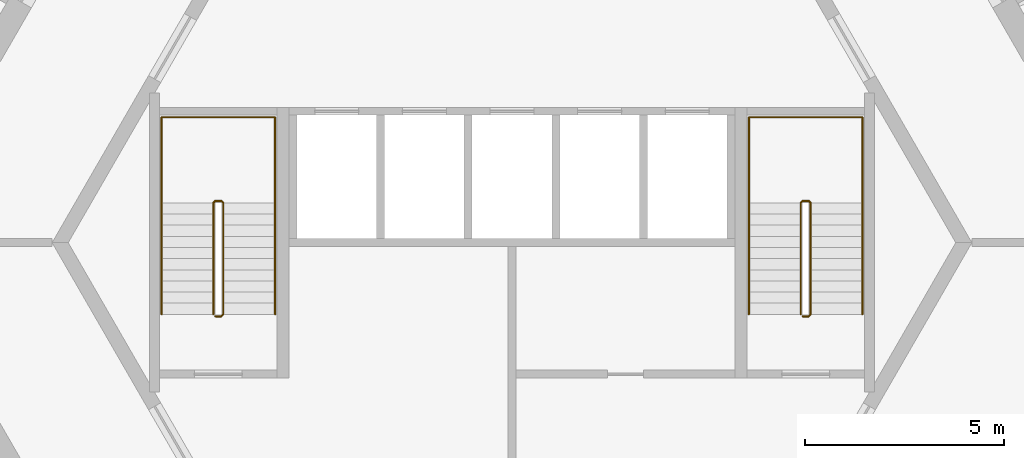
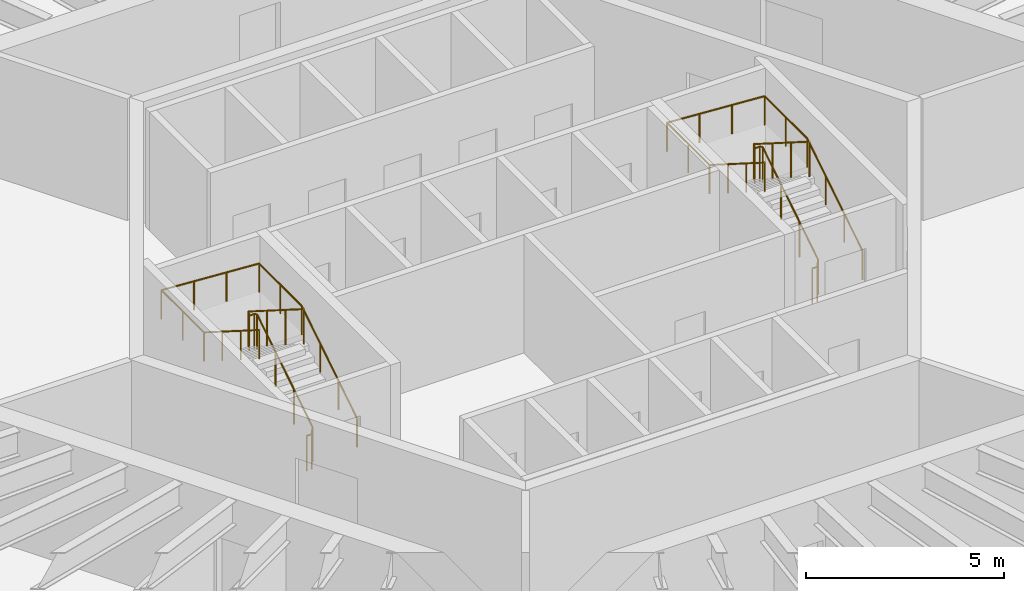
# One storey, part 12 of 12: 4 railings.
"""IFC4 building model written with IfcOpenShell, lengths in metres."""

from ifc_helpers import new_model, si_unit, direction, frame, origin, origin_2d, place, context, subcontext, project, spatial, circle, extrude, material, type_object, element, save


model = new_model("IFC4")

# Units and contexts
model_context = context("Model", 3, precision=1e-05, world=origin(), true_north=direction((0.0, 1.0)))
body_context = subcontext(model_context, "Body", "Model", "MODEL_VIEW")
ifc_project = project(units=[si_unit("LENGTHUNIT", "METRE"), si_unit("AREAUNIT", "SQUARE_METRE"), si_unit("VOLUMEUNIT", "CUBIC_METRE"), si_unit("PLANEANGLEUNIT", "RADIAN"), si_unit("MASSUNIT", "GRAM", prefix="KILO")], contexts=[model_context])

# Site, building, storey
site_placement = place(None, origin())
site = spatial("IfcSite", under=ifc_project, at=site_placement, CompositionType="ELEMENT")
building_placement = place(site_placement, origin())
building = spatial("IfcBuilding", under=site, at=building_placement, Name="Tarnside Tower", CompositionType="ELEMENT")
storey_placement = place(building_placement, frame((0.0, 0.0, 64.800048828125)))
storey = spatial("IfcBuildingStorey", under=building, at=storey_placement, Name="L13", CompositionType="ELEMENT", Elevation=64.800048828125)

# Railings
ifc_material = material(Name="Stainless steel", Category="steel")
railing_type_1 = type_object("IfcRailingType", Name="Stair guard 1100", PredefinedType="GUARDRAIL", material=ifc_material)
railing_1_placement = place(storey_placement, frame((7.300048828125, -1.85009765625, 0.0)))
element("IfcRailing", 1, at=railing_1_placement, inside=storey, type_object=railing_type_1, Name="L13 ST1 stair guard 1", PredefinedType="GUARDRAIL", context=body_context, shape_type="SweptSolid", body=[
    extrude(circle(Radius=0.02392578125, at=origin_2d()), frame((0.0, 0.0, 1.076171875), z_axis=(1.0, 0.0, 0.0), x_axis=(0.0, 1.0, 0.0)), (0.0, 0.0, 1.0), 0.14990234375),
    extrude(circle(Radius=0.02392578125, at=origin_2d()), frame((0.14990234375, 0.0, 1.076171875), z_axis=(0.262233686654, 0.262233686654, 0.928691007369), x_axis=(-0.707106781187, 0.707106781187, 0.0)), (0.0, 0.0, 1.0), 0.19091796875),
    extrude(circle(Radius=0.02392578125, at=origin_2d()), frame((0.199951171875, 0.050048828125, 1.25341796875), z_axis=(0.0, 0.844908973607, 0.534910110503), x_axis=(-1.0, 0.0, 0.0)), (0.0, 0.0, 1.0), 3.31396484375),
    extrude(circle(Radius=0.02392578125, at=origin_2d()), frame((0.199951171875, 2.85009765625, 3.02587890625), z_axis=(-0.707106781187, 0.707106781187, 0.0), x_axis=(-0.707106781187, -0.707106781187, 0.0)), (0.0, 0.0, 1.0), 0.07080078125),
    extrude(circle(Radius=0.02392578125, at=origin_2d()), frame((0.14990234375, 2.900146484375, 3.02587890625), z_axis=(-1.0, 0.0, 0.0), x_axis=(0.0, -1.0, 0.0)), (0.0, 0.0, 1.0), 0.14990234375),
    extrude(circle(Radius=0.02392578125, at=origin_2d()), frame((0.0, 2.900146484375, 3.02587890625), z_axis=(-0.262233686654, -0.262233686654, 0.928691007369), x_axis=(0.707106781187, -0.707106781187, 0.0)), (0.0, 0.0, 1.0), 0.19091796875),
    extrude(circle(Radius=0.02392578125, at=origin_2d()), frame((-0.050048828125, 2.85009765625, 3.203125), z_axis=(0.0, -0.844908973607, 0.534910110503), x_axis=(1.0, 0.0, 0.0)), (0.0, 0.0, 1.0), 3.31396484375),
    extrude(circle(Radius=0.02099609375, at=origin_2d()), origin(), (0.0, 0.0, 1.0), 1.052001953125),
    extrude(circle(Radius=0.02099609375, at=origin_2d()), frame((0.14990234375, 0.0, 0.0)), (0.0, 0.0, 1.0), 1.052001953125),
    extrude(circle(Radius=0.02099609375, at=origin_2d()), frame((0.199951171875, 0.050048828125, 0.17724609375)), (0.0, 0.0, 1.0), 1.052001953125),
    extrude(circle(Radius=0.02099609375, at=origin_2d()), frame((0.199951171875, 0.9833984375, 0.76806640625)), (0.0, 0.0, 1.0), 1.052001953125),
    extrude(circle(Radius=0.02099609375, at=origin_2d()), frame((0.199951171875, 1.916748046875, 1.359130859375)), (0.0, 0.0, 1.0), 1.052001953125),
    extrude(circle(Radius=0.02099609375, at=origin_2d()), frame((0.199951171875, 2.85009765625, 1.949951171875)), (0.0, 0.0, 1.0), 1.052001953125),
    extrude(circle(Radius=0.02099609375, at=origin_2d()), frame((0.14990234375, 2.900146484375, 1.949951171875)), (0.0, 0.0, 1.0), 1.052001953125),
    extrude(circle(Radius=0.02099609375, at=origin_2d()), frame((0.0, 2.900146484375, 1.949951171875)), (0.0, 0.0, 1.0), 1.052001953125),
    extrude(circle(Radius=0.02099609375, at=origin_2d()), frame((-0.050048828125, 2.85009765625, 2.127197265625)), (0.0, 0.0, 1.0), 1.052001953125),
    extrude(circle(Radius=0.02099609375, at=origin_2d()), frame((-0.050048828125, 1.916748046875, 2.718017578125)), (0.0, 0.0, 1.0), 1.052001953125),
    extrude(circle(Radius=0.02099609375, at=origin_2d()), frame((-0.050048828125, 0.9833984375, 3.30908203125)), (0.0, 0.0, 1.0), 1.052001953125),
    extrude(circle(Radius=0.02099609375, at=origin_2d()), frame((-0.050048828125, 0.050048828125, 3.89990234375)), (0.0, 0.0, 1.0), 1.052001953125),
])
railing_2_placement = place(storey_placement, frame((-7.449951171875, -1.85009765625, 0.0)))
element("IfcRailing", 2, at=railing_2_placement, inside=storey, type_object=railing_type_1, Name="L13 ST2 stair guard 1", PredefinedType="GUARDRAIL", context=body_context, shape_type="SweptSolid", body=[
    extrude(circle(Radius=0.02392578125, at=origin_2d()), frame((0.0, 0.0, 1.076171875), z_axis=(1.0, 0.0, 0.0), x_axis=(0.0, 1.0, 0.0)), (0.0, 0.0, 1.0), 0.14990234375),
    extrude(circle(Radius=0.02392578125, at=origin_2d()), frame((0.14990234375, 0.0, 1.076171875), z_axis=(0.262233686654, 0.262233686654, 0.928691007369), x_axis=(-0.707106781187, 0.707106781187, 0.0)), (0.0, 0.0, 1.0), 0.19091796875),
    extrude(circle(Radius=0.02392578125, at=origin_2d()), frame((0.199951171875, 0.050048828125, 1.25341796875), z_axis=(0.0, 0.844908973607, 0.534910110503), x_axis=(-1.0, 0.0, 0.0)), (0.0, 0.0, 1.0), 3.31396484375),
    extrude(circle(Radius=0.02392578125, at=origin_2d()), frame((0.199951171875, 2.85009765625, 3.02587890625), z_axis=(-0.707106781187, 0.707106781187, 0.0), x_axis=(-0.707106781187, -0.707106781187, 0.0)), (0.0, 0.0, 1.0), 0.07080078125),
    extrude(circle(Radius=0.02392578125, at=origin_2d()), frame((0.14990234375, 2.900146484375, 3.02587890625), z_axis=(-1.0, 0.0, 0.0), x_axis=(0.0, -1.0, 0.0)), (0.0, 0.0, 1.0), 0.14990234375),
    extrude(circle(Radius=0.02392578125, at=origin_2d()), frame((0.0, 2.900146484375, 3.02587890625), z_axis=(-0.262233686654, -0.262233686654, 0.928691007369), x_axis=(0.707106781187, -0.707106781187, 0.0)), (0.0, 0.0, 1.0), 0.19091796875),
    extrude(circle(Radius=0.02392578125, at=origin_2d()), frame((-0.050048828125, 2.85009765625, 3.203125), z_axis=(0.0, -0.844908973607, 0.534910110503), x_axis=(1.0, 0.0, 0.0)), (0.0, 0.0, 1.0), 3.31396484375),
    extrude(circle(Radius=0.02099609375, at=origin_2d()), origin(), (0.0, 0.0, 1.0), 1.052001953125),
    extrude(circle(Radius=0.02099609375, at=origin_2d()), frame((0.14990234375, 0.0, 0.0)), (0.0, 0.0, 1.0), 1.052001953125),
    extrude(circle(Radius=0.02099609375, at=origin_2d()), frame((0.199951171875, 0.050048828125, 0.17724609375)), (0.0, 0.0, 1.0), 1.052001953125),
    extrude(circle(Radius=0.02099609375, at=origin_2d()), frame((0.199951171875, 0.9833984375, 0.76806640625)), (0.0, 0.0, 1.0), 1.052001953125),
    extrude(circle(Radius=0.02099609375, at=origin_2d()), frame((0.199951171875, 1.916748046875, 1.359130859375)), (0.0, 0.0, 1.0), 1.052001953125),
    extrude(circle(Radius=0.02099609375, at=origin_2d()), frame((0.199951171875, 2.85009765625, 1.949951171875)), (0.0, 0.0, 1.0), 1.052001953125),
    extrude(circle(Radius=0.02099609375, at=origin_2d()), frame((0.14990234375, 2.900146484375, 1.949951171875)), (0.0, 0.0, 1.0), 1.052001953125),
    extrude(circle(Radius=0.02099609375, at=origin_2d()), frame((0.0, 2.900146484375, 1.949951171875)), (0.0, 0.0, 1.0), 1.052001953125),
    extrude(circle(Radius=0.02099609375, at=origin_2d()), frame((-0.050048828125, 2.85009765625, 2.127197265625)), (0.0, 0.0, 1.0), 1.052001953125),
    extrude(circle(Radius=0.02099609375, at=origin_2d()), frame((-0.050048828125, 1.916748046875, 2.718017578125)), (0.0, 0.0, 1.0), 1.052001953125),
    extrude(circle(Radius=0.02099609375, at=origin_2d()), frame((-0.050048828125, 0.9833984375, 3.30908203125)), (0.0, 0.0, 1.0), 1.052001953125),
    extrude(circle(Radius=0.02099609375, at=origin_2d()), frame((-0.050048828125, 0.050048828125, 3.89990234375)), (0.0, 0.0, 1.0), 1.052001953125),
])
railing_type_2 = type_object("IfcRailingType", Name="Stair handrail 900", PredefinedType="HANDRAIL", material=ifc_material)
railing_3_placement = place(storey_placement, frame((8.800048828125, -1.800048828125, 0.17724609375)))
element("IfcRailing", 3, at=railing_3_placement, inside=storey, type_object=railing_type_2, Name="L13 ST1 stair handrail 1", PredefinedType="HANDRAIL", context=body_context, shape_type="SweptSolid", body=[
    extrude(circle(Radius=0.02392578125, at=origin_2d()), frame((0.0, 0.0, 0.8857421875), z_axis=(0.0, 0.844908973607, 0.534910110503), x_axis=(-1.0, 0.0, 0.0)), (0.0, 0.0, 1.0), 3.31396484375),
    extrude(circle(Radius=0.02392578125, at=origin_2d()), frame((0.0, 2.800048828125, 2.65869140625), z_axis=(0.0, 1.0, 0.0), x_axis=(-1.0, 0.0, 0.0)), (0.0, 0.0, 1.0), 2.14990234375),
    extrude(circle(Radius=0.02392578125, at=origin_2d()), frame((0.0, 4.949951171875, 2.65869140625), z_axis=(-0.998071825391, 0.0, 0.06206956872), x_axis=(0.0, -1.0, 0.0)), (0.0, 0.0, 1.0), 2.855712890625),
    extrude(circle(Radius=0.02392578125, at=origin_2d()), frame((-2.85009765625, 4.949951171875, 2.8359375), z_axis=(0.0, -1.0, 0.0), x_axis=(1.0, 0.0, 0.0)), (0.0, 0.0, 1.0), 2.14990234375),
    extrude(circle(Radius=0.02392578125, at=origin_2d()), frame((-2.85009765625, 2.800048828125, 2.8359375), z_axis=(0.0, -0.844908973607, 0.534910110503), x_axis=(1.0, 0.0, 0.0)), (0.0, 0.0, 1.0), 3.31396484375),
    extrude(circle(Radius=0.02099609375, at=origin_2d()), origin(), (0.0, 0.0, 1.0), 0.86181640625),
    extrude(circle(Radius=0.02099609375, at=origin_2d()), frame((0.0, 0.933349609375, 0.5908203125)), (0.0, 0.0, 1.0), 0.86181640625),
    extrude(circle(Radius=0.02099609375, at=origin_2d()), frame((0.0, 1.86669921875, 1.181884765625)), (0.0, 0.0, 1.0), 0.86181640625),
    extrude(circle(Radius=0.02099609375, at=origin_2d()), frame((0.0, 2.800048828125, 1.772705078125)), (0.0, 0.0, 1.0), 0.86181640625),
    extrude(circle(Radius=0.02099609375, at=origin_2d()), frame((0.0, 3.875, 1.772705078125)), (0.0, 0.0, 1.0), 0.86181640625),
    extrude(circle(Radius=0.02099609375, at=origin_2d()), frame((0.0, 4.949951171875, 1.772705078125)), (0.0, 0.0, 1.0), 0.86181640625),
    extrude(circle(Radius=0.02099609375, at=origin_2d()), frame((-0.949951171875, 4.949951171875, 1.831787109375)), (0.0, 0.0, 1.0), 0.86181640625),
    extrude(circle(Radius=0.02099609375, at=origin_2d()), frame((-1.900146484375, 4.949951171875, 1.890869140625)), (0.0, 0.0, 1.0), 0.86181640625),
    extrude(circle(Radius=0.02099609375, at=origin_2d()), frame((-2.85009765625, 4.949951171875, 1.949951171875)), (0.0, 0.0, 1.0), 0.86181640625),
    extrude(circle(Radius=0.02099609375, at=origin_2d()), frame((-2.85009765625, 3.875, 1.949951171875)), (0.0, 0.0, 1.0), 0.86181640625),
    extrude(circle(Radius=0.02099609375, at=origin_2d()), frame((-2.85009765625, 2.800048828125, 1.949951171875)), (0.0, 0.0, 1.0), 0.86181640625),
    extrude(circle(Radius=0.02099609375, at=origin_2d()), frame((-2.85009765625, 1.86669921875, 2.540771484375)), (0.0, 0.0, 1.0), 0.86181640625),
    extrude(circle(Radius=0.02099609375, at=origin_2d()), frame((-2.85009765625, 0.933349609375, 3.1318359375)), (0.0, 0.0, 1.0), 0.86181640625),
    extrude(circle(Radius=0.02099609375, at=origin_2d()), frame((-2.85009765625, 0.0, 3.72265625)), (0.0, 0.0, 1.0), 0.86181640625),
])
railing_4_placement = place(storey_placement, frame((-5.949951171875, -1.800048828125, 0.17724609375)))
element("IfcRailing", 4, at=railing_4_placement, inside=storey, type_object=railing_type_2, Name="L13 ST2 stair handrail 1", PredefinedType="HANDRAIL", context=body_context, shape_type="SweptSolid", body=[
    extrude(circle(Radius=0.02392578125, at=origin_2d()), frame((0.0, 0.0, 0.8857421875), z_axis=(0.0, 0.844908973607, 0.534910110503), x_axis=(-1.0, 0.0, 0.0)), (0.0, 0.0, 1.0), 3.31396484375),
    extrude(circle(Radius=0.02392578125, at=origin_2d()), frame((0.0, 2.800048828125, 2.65869140625), z_axis=(0.0, 1.0, 0.0), x_axis=(-1.0, 0.0, 0.0)), (0.0, 0.0, 1.0), 2.14990234375),
    extrude(circle(Radius=0.02392578125, at=origin_2d()), frame((0.0, 4.949951171875, 2.65869140625), z_axis=(-0.998071825391, 0.0, 0.06206956872), x_axis=(0.0, -1.0, 0.0)), (0.0, 0.0, 1.0), 2.855712890625),
    extrude(circle(Radius=0.02392578125, at=origin_2d()), frame((-2.85009765625, 4.949951171875, 2.8359375), z_axis=(0.0, -1.0, 0.0), x_axis=(1.0, 0.0, 0.0)), (0.0, 0.0, 1.0), 2.14990234375),
    extrude(circle(Radius=0.02392578125, at=origin_2d()), frame((-2.85009765625, 2.800048828125, 2.8359375), z_axis=(0.0, -0.844908973607, 0.534910110503), x_axis=(1.0, 0.0, 0.0)), (0.0, 0.0, 1.0), 3.31396484375),
    extrude(circle(Radius=0.02099609375, at=origin_2d()), origin(), (0.0, 0.0, 1.0), 0.86181640625),
    extrude(circle(Radius=0.02099609375, at=origin_2d()), frame((0.0, 0.933349609375, 0.5908203125)), (0.0, 0.0, 1.0), 0.86181640625),
    extrude(circle(Radius=0.02099609375, at=origin_2d()), frame((0.0, 1.86669921875, 1.181884765625)), (0.0, 0.0, 1.0), 0.86181640625),
    extrude(circle(Radius=0.02099609375, at=origin_2d()), frame((0.0, 2.800048828125, 1.772705078125)), (0.0, 0.0, 1.0), 0.86181640625),
    extrude(circle(Radius=0.02099609375, at=origin_2d()), frame((0.0, 3.875, 1.772705078125)), (0.0, 0.0, 1.0), 0.86181640625),
    extrude(circle(Radius=0.02099609375, at=origin_2d()), frame((0.0, 4.949951171875, 1.772705078125)), (0.0, 0.0, 1.0), 0.86181640625),
    extrude(circle(Radius=0.02099609375, at=origin_2d()), frame((-0.949951171875, 4.949951171875, 1.831787109375)), (0.0, 0.0, 1.0), 0.86181640625),
    extrude(circle(Radius=0.02099609375, at=origin_2d()), frame((-1.900146484375, 4.949951171875, 1.890869140625)), (0.0, 0.0, 1.0), 0.86181640625),
    extrude(circle(Radius=0.02099609375, at=origin_2d()), frame((-2.85009765625, 4.949951171875, 1.949951171875)), (0.0, 0.0, 1.0), 0.86181640625),
    extrude(circle(Radius=0.02099609375, at=origin_2d()), frame((-2.85009765625, 3.875, 1.949951171875)), (0.0, 0.0, 1.0), 0.86181640625),
    extrude(circle(Radius=0.02099609375, at=origin_2d()), frame((-2.85009765625, 2.800048828125, 1.949951171875)), (0.0, 0.0, 1.0), 0.86181640625),
    extrude(circle(Radius=0.02099609375, at=origin_2d()), frame((-2.85009765625, 1.86669921875, 2.540771484375)), (0.0, 0.0, 1.0), 0.86181640625),
    extrude(circle(Radius=0.02099609375, at=origin_2d()), frame((-2.85009765625, 0.933349609375, 3.1318359375)), (0.0, 0.0, 1.0), 0.86181640625),
    extrude(circle(Radius=0.02099609375, at=origin_2d()), frame((-2.85009765625, 0.0, 3.72265625)), (0.0, 0.0, 1.0), 0.86181640625),
])

save(model, "model.ifc")
